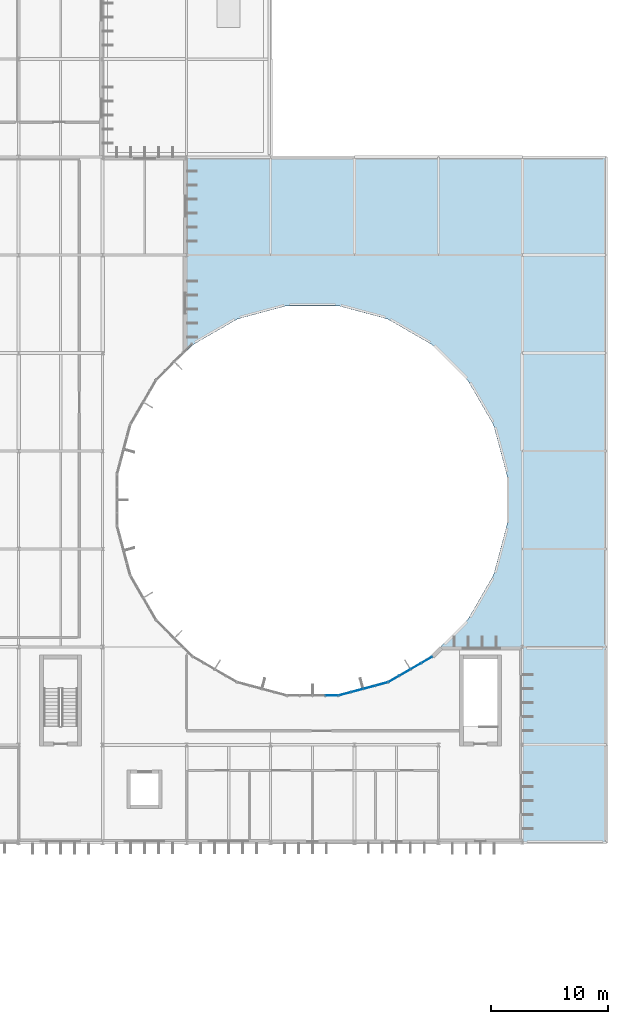
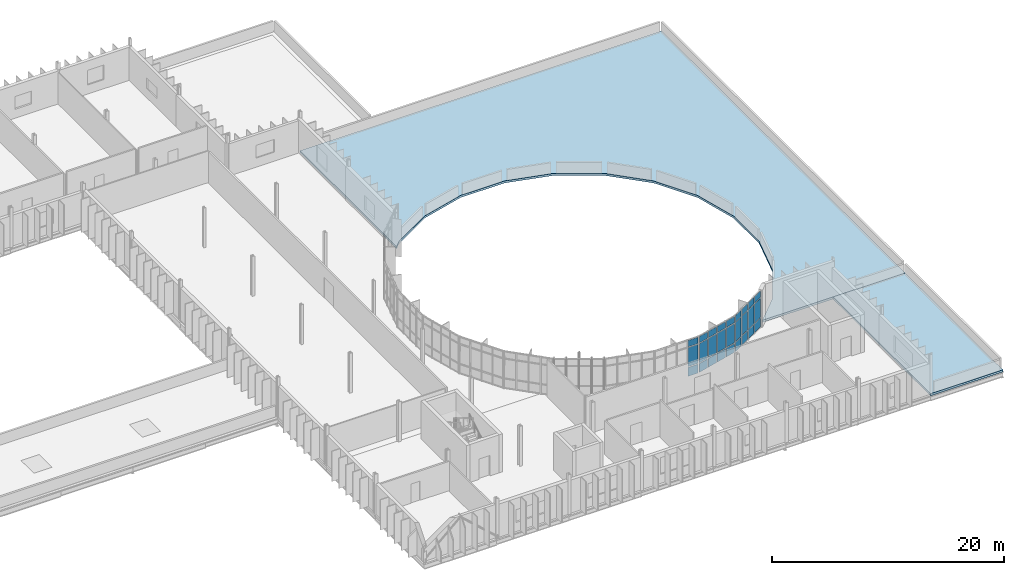
# One storey, part 38 of 61: 27 plates, 2 slabs, 3 elements without a shape of their own.
"""IFC4 building model written with IfcOpenShell, lengths in metres."""

from ifc_helpers import new_model, si_unit, direction, frame, origin, origin_2d, place, context, subcontext, project, spatial, polyline, rectangle, outline, extrude, material, layer, layer_set, type_object, element, aggregate, save


model = new_model("IFC4")

# Units and contexts
model_context = context("Model", 3, precision=1e-05, world=origin(), true_north=direction((0.0, 1.0)))
body_context = subcontext(model_context, "Body", "Model", "MODEL_VIEW")
ifc_project = project(units=[si_unit("LENGTHUNIT", "METRE"), si_unit("AREAUNIT", "SQUARE_METRE"), si_unit("VOLUMEUNIT", "CUBIC_METRE"), si_unit("PLANEANGLEUNIT", "RADIAN"), si_unit("MASSUNIT", "GRAM", prefix="KILO")], contexts=[model_context])

# Site, building, storey
site_placement = place(None, origin())
site = spatial("IfcSite", under=ifc_project, at=site_placement, CompositionType="ELEMENT")
building_placement = place(site_placement, origin())
building = spatial("IfcBuilding", under=site, at=building_placement, Name="Qelthora Terrace Specialist Clinic", CompositionType="ELEMENT")
storey_placement = place(building_placement, frame((0.0, 0.0, 13.199951171875)))
storey = spatial("IfcBuildingStorey", under=building, at=storey_placement, Name="L03", CompositionType="ELEMENT", Elevation=13.199951171875)

# Curtain wall, plates
ifc_material_1 = material(Name="Aluminium anodized bronze", Category="aluminium")
curtain_wall_type = type_object("IfcCurtainWallType", Name="CW-CRTE-UPP", PredefinedType="NOTDEFINED", material=ifc_material_1)
curtain_wall_1_placement = place(storey_placement, origin())
curtain_wall_1 = element("IfcCurtainWall", 1, at=curtain_wall_1_placement, inside=storey, type_object=curtain_wall_type, Name="Curtain wall CW-CE-L03-18", PredefinedType="NOTDEFINED")
ifc_material_2 = material(Name="Low-E triple-silver insulating glass", Category="glass")
ifc_layer_1 = layer(ifc_material_2, 0.035888671875)
ifc_layer_set_1 = layer_set([ifc_layer_1], Name="Low-E triple-silver insulating glass")
plate_type = type_object("IfcPlateType", Name="CWP-IGU-36", PredefinedType="CURTAIN_PANEL", material=ifc_layer_set_1)
plate_1_placement = place(storey_placement, frame((127.64453125, 46.2236328125, 0.085205078125), z_axis=(0.0, 0.0, 1.0), x_axis=(1.0, 0.0, 0.0)))
plate_1 = element("IfcPlate", 2, at=plate_1_placement, type_object=plate_type, Name="CW-CE-L03-18 glazed panel 10", PredefinedType="CURTAIN_PANEL", context=body_context, shape_type="SweptSolid", body=[
    extrude(rectangle(XDim=0.996337890625, YDim=0.035888671875, at=origin_2d()), origin(), (0.0, 0.0, 1.0), 0.919921875),
])
plate_2_placement = place(storey_placement, frame((127.64453125, 46.2236328125, 1.09521484375), z_axis=(0.0, 0.0, 1.0), x_axis=(1.0, 0.0, 0.0)))
plate_2 = element("IfcPlate", 3, at=plate_2_placement, type_object=plate_type, Name="CW-CE-L03-18 glazed panel 11", PredefinedType="CURTAIN_PANEL", context=body_context, shape_type="SweptSolid", body=[
    extrude(rectangle(XDim=0.996337890625, YDim=0.035888671875, at=origin_2d()), origin(), (0.0, 0.0, 1.0), 2.0048828125),
])
plate_3_placement = place(storey_placement, frame((127.64453125, 46.2236328125, 3.190185546875), z_axis=(0.0, 0.0, 1.0), x_axis=(1.0, 0.0, 0.0)))
plate_3 = element("IfcPlate", 4, at=plate_3_placement, type_object=plate_type, Name="CW-CE-L03-18 glazed panel 12", PredefinedType="CURTAIN_PANEL", context=body_context, shape_type="SweptSolid", body=[
    extrude(rectangle(XDim=0.996337890625, YDim=0.035888671875, at=origin_2d()), origin(), (0.0, 0.0, 1.0), 0.669921875),
])
aggregate(curtain_wall_1, [plate_1, plate_2, plate_3])

curtain_wall_2_placement = place(storey_placement, origin())
curtain_wall_2 = element("IfcCurtainWall", 5, at=curtain_wall_2_placement, inside=storey, type_object=curtain_wall_type, Name="Curtain wall CW-CE-L03-19", PredefinedType="NOTDEFINED")
plate_4_placement = place(storey_placement, frame((128.75341796875, 46.36962890625, 0.085205078125), z_axis=(0.0, 0.0, 1.0), x_axis=(0.965925826289, 0.258819045103, 0.0)))
plate_4 = element("IfcPlate", 6, at=plate_4_placement, type_object=plate_type, Name="CW-CE-L03-19 glazed panel 1", PredefinedType="CURTAIN_PANEL", context=body_context, shape_type="SweptSolid", body=[
    extrude(rectangle(XDim=0.996337890625, YDim=0.035888671875, at=origin_2d()), origin(), (0.0, 0.0, 1.0), 0.919921875),
])
plate_5_placement = place(storey_placement, frame((128.75341796875, 46.36962890625, 1.09521484375), z_axis=(0.0, 0.0, 1.0), x_axis=(0.965925826289, 0.258819045103, 0.0)))
plate_5 = element("IfcPlate", 7, at=plate_5_placement, type_object=plate_type, Name="CW-CE-L03-19 glazed panel 2", PredefinedType="CURTAIN_PANEL", context=body_context, shape_type="SweptSolid", body=[
    extrude(rectangle(XDim=0.996337890625, YDim=0.035888671875, at=origin_2d()), origin(), (0.0, 0.0, 1.0), 2.0048828125),
])
plate_6_placement = place(storey_placement, frame((128.75341796875, 46.36962890625, 3.190185546875), z_axis=(0.0, 0.0, 1.0), x_axis=(0.965925826289, 0.258819045103, 0.0)))
plate_6 = element("IfcPlate", 8, at=plate_6_placement, type_object=plate_type, Name="CW-CE-L03-19 glazed panel 3", PredefinedType="CURTAIN_PANEL", context=body_context, shape_type="SweptSolid", body=[
    extrude(rectangle(XDim=0.996337890625, YDim=0.035888671875, at=origin_2d()), origin(), (0.0, 0.0, 1.0), 0.669921875),
])
plate_7_placement = place(storey_placement, frame((129.8125, 46.653564453125, 0.085205078125), z_axis=(0.0, 0.0, 1.0), x_axis=(0.965925826289, 0.258819045103, 0.0)))
plate_7 = element("IfcPlate", 9, at=plate_7_placement, type_object=plate_type, Name="CW-CE-L03-19 glazed panel 4", PredefinedType="CURTAIN_PANEL", context=body_context, shape_type="SweptSolid", body=[
    extrude(rectangle(XDim=0.996337890625, YDim=0.035888671875, at=origin_2d()), origin(), (0.0, 0.0, 1.0), 0.919921875),
])
plate_8_placement = place(storey_placement, frame((129.8125, 46.653564453125, 1.09521484375), z_axis=(0.0, 0.0, 1.0), x_axis=(0.965925826289, 0.258819045103, 0.0)))
plate_8 = element("IfcPlate", 10, at=plate_8_placement, type_object=plate_type, Name="CW-CE-L03-19 glazed panel 5", PredefinedType="CURTAIN_PANEL", context=body_context, shape_type="SweptSolid", body=[
    extrude(rectangle(XDim=0.996337890625, YDim=0.035888671875, at=origin_2d()), origin(), (0.0, 0.0, 1.0), 2.0048828125),
])
plate_9_placement = place(storey_placement, frame((129.8125, 46.653564453125, 3.190185546875), z_axis=(0.0, 0.0, 1.0), x_axis=(0.965925826289, 0.258819045103, 0.0)))
plate_9 = element("IfcPlate", 11, at=plate_9_placement, type_object=plate_type, Name="CW-CE-L03-19 glazed panel 6", PredefinedType="CURTAIN_PANEL", context=body_context, shape_type="SweptSolid", body=[
    extrude(rectangle(XDim=0.996337890625, YDim=0.035888671875, at=origin_2d()), origin(), (0.0, 0.0, 1.0), 0.669921875),
])
plate_10_placement = place(storey_placement, frame((130.87158203125, 46.937255859375, 0.085205078125), z_axis=(0.0, 0.0, 1.0), x_axis=(0.965925826289, 0.258819045103, 0.0)))
plate_10 = element("IfcPlate", 12, at=plate_10_placement, type_object=plate_type, Name="CW-CE-L03-19 glazed panel 7", PredefinedType="CURTAIN_PANEL", context=body_context, shape_type="SweptSolid", body=[
    extrude(rectangle(XDim=0.996337890625, YDim=0.035888671875, at=origin_2d()), origin(), (0.0, 0.0, 1.0), 0.919921875),
])
plate_11_placement = place(storey_placement, frame((130.87158203125, 46.937255859375, 1.09521484375), z_axis=(0.0, 0.0, 1.0), x_axis=(0.965925826289, 0.258819045103, 0.0)))
plate_11 = element("IfcPlate", 13, at=plate_11_placement, type_object=plate_type, Name="CW-CE-L03-19 glazed panel 8", PredefinedType="CURTAIN_PANEL", context=body_context, shape_type="SweptSolid", body=[
    extrude(rectangle(XDim=0.996337890625, YDim=0.035888671875, at=origin_2d()), origin(), (0.0, 0.0, 1.0), 2.0048828125),
])
plate_12_placement = place(storey_placement, frame((130.87158203125, 46.937255859375, 3.190185546875), z_axis=(0.0, 0.0, 1.0), x_axis=(0.965925826289, 0.258819045103, 0.0)))
plate_12 = element("IfcPlate", 14, at=plate_12_placement, type_object=plate_type, Name="CW-CE-L03-19 glazed panel 9", PredefinedType="CURTAIN_PANEL", context=body_context, shape_type="SweptSolid", body=[
    extrude(rectangle(XDim=0.996337890625, YDim=0.035888671875, at=origin_2d()), origin(), (0.0, 0.0, 1.0), 0.669921875),
])
plate_13_placement = place(storey_placement, frame((131.9306640625, 47.220947265625, 0.085205078125), z_axis=(0.0, 0.0, 1.0), x_axis=(0.965925826289, 0.258819045103, 0.0)))
plate_13 = element("IfcPlate", 15, at=plate_13_placement, type_object=plate_type, Name="CW-CE-L03-19 glazed panel 10", PredefinedType="CURTAIN_PANEL", context=body_context, shape_type="SweptSolid", body=[
    extrude(rectangle(XDim=0.996337890625, YDim=0.035888671875, at=origin_2d()), origin(), (0.0, 0.0, 1.0), 0.919921875),
])
plate_14_placement = place(storey_placement, frame((131.9306640625, 47.220947265625, 1.09521484375), z_axis=(0.0, 0.0, 1.0), x_axis=(0.965925826289, 0.258819045103, 0.0)))
plate_14 = element("IfcPlate", 16, at=plate_14_placement, type_object=plate_type, Name="CW-CE-L03-19 glazed panel 11", PredefinedType="CURTAIN_PANEL", context=body_context, shape_type="SweptSolid", body=[
    extrude(rectangle(XDim=0.996337890625, YDim=0.035888671875, at=origin_2d()), origin(), (0.0, 0.0, 1.0), 2.0048828125),
])
plate_15_placement = place(storey_placement, frame((131.9306640625, 47.220947265625, 3.190185546875), z_axis=(0.0, 0.0, 1.0), x_axis=(0.965925826289, 0.258819045103, 0.0)))
plate_15 = element("IfcPlate", 17, at=plate_15_placement, type_object=plate_type, Name="CW-CE-L03-19 glazed panel 12", PredefinedType="CURTAIN_PANEL", context=body_context, shape_type="SweptSolid", body=[
    extrude(rectangle(XDim=0.996337890625, YDim=0.035888671875, at=origin_2d()), origin(), (0.0, 0.0, 1.0), 0.669921875),
])
aggregate(curtain_wall_2, [plate_4, plate_5, plate_6, plate_7, plate_8, plate_9, plate_10, plate_11, plate_12, plate_13, plate_14, plate_15])

curtain_wall_3_placement = place(storey_placement, origin())
curtain_wall_3 = element("IfcCurtainWall", 18, at=curtain_wall_3_placement, inside=storey, type_object=curtain_wall_type, Name="Curtain wall CW-CE-L03-20", PredefinedType="NOTDEFINED")
plate_16_placement = place(storey_placement, frame((132.9638671875, 47.64892578125, 0.085205078125), z_axis=(0.0, 0.0, 1.0), x_axis=(0.866025403784, 0.5, 0.0)))
plate_16 = element("IfcPlate", 19, at=plate_16_placement, type_object=plate_type, Name="CW-CE-L03-20 glazed panel 1", PredefinedType="CURTAIN_PANEL", context=body_context, shape_type="SweptSolid", body=[
    extrude(rectangle(XDim=0.996337890625, YDim=0.035888671875, at=origin_2d()), origin(), (0.0, 0.0, 1.0), 0.919921875),
])
plate_17_placement = place(storey_placement, frame((132.9638671875, 47.64892578125, 1.09521484375), z_axis=(0.0, 0.0, 1.0), x_axis=(0.866025403784, 0.5, 0.0)))
plate_17 = element("IfcPlate", 20, at=plate_17_placement, type_object=plate_type, Name="CW-CE-L03-20 glazed panel 2", PredefinedType="CURTAIN_PANEL", context=body_context, shape_type="SweptSolid", body=[
    extrude(rectangle(XDim=0.996337890625, YDim=0.035888671875, at=origin_2d()), origin(), (0.0, 0.0, 1.0), 2.0048828125),
])
plate_18_placement = place(storey_placement, frame((132.9638671875, 47.64892578125, 3.190185546875), z_axis=(0.0, 0.0, 1.0), x_axis=(0.866025403784, 0.5, 0.0)))
plate_18 = element("IfcPlate", 21, at=plate_18_placement, type_object=plate_type, Name="CW-CE-L03-20 glazed panel 3", PredefinedType="CURTAIN_PANEL", context=body_context, shape_type="SweptSolid", body=[
    extrude(rectangle(XDim=0.996337890625, YDim=0.035888671875, at=origin_2d()), origin(), (0.0, 0.0, 1.0), 0.669921875),
])
plate_19_placement = place(storey_placement, frame((133.913330078125, 48.197265625, 0.085205078125), z_axis=(0.0, 0.0, 1.0), x_axis=(0.866025403784, 0.5, 0.0)))
plate_19 = element("IfcPlate", 22, at=plate_19_placement, type_object=plate_type, Name="CW-CE-L03-20 glazed panel 4", PredefinedType="CURTAIN_PANEL", context=body_context, shape_type="SweptSolid", body=[
    extrude(rectangle(XDim=0.996337890625, YDim=0.035888671875, at=origin_2d()), origin(), (0.0, 0.0, 1.0), 0.919921875),
])
plate_20_placement = place(storey_placement, frame((133.913330078125, 48.197265625, 1.09521484375), z_axis=(0.0, 0.0, 1.0), x_axis=(0.866025403784, 0.5, 0.0)))
plate_20 = element("IfcPlate", 23, at=plate_20_placement, type_object=plate_type, Name="CW-CE-L03-20 glazed panel 5", PredefinedType="CURTAIN_PANEL", context=body_context, shape_type="SweptSolid", body=[
    extrude(rectangle(XDim=0.996337890625, YDim=0.035888671875, at=origin_2d()), origin(), (0.0, 0.0, 1.0), 2.0048828125),
])
plate_21_placement = place(storey_placement, frame((133.913330078125, 48.197265625, 3.190185546875), z_axis=(0.0, 0.0, 1.0), x_axis=(0.866025403784, 0.5, 0.0)))
plate_21 = element("IfcPlate", 24, at=plate_21_placement, type_object=plate_type, Name="CW-CE-L03-20 glazed panel 6", PredefinedType="CURTAIN_PANEL", context=body_context, shape_type="SweptSolid", body=[
    extrude(rectangle(XDim=0.996337890625, YDim=0.035888671875, at=origin_2d()), origin(), (0.0, 0.0, 1.0), 0.669921875),
])
plate_22_placement = place(storey_placement, frame((134.86279296875, 48.745361328125, 0.085205078125), z_axis=(0.0, 0.0, 1.0), x_axis=(0.866025403784, 0.5, 0.0)))
plate_22 = element("IfcPlate", 25, at=plate_22_placement, type_object=plate_type, Name="CW-CE-L03-20 glazed panel 7", PredefinedType="CURTAIN_PANEL", context=body_context, shape_type="SweptSolid", body=[
    extrude(rectangle(XDim=0.996337890625, YDim=0.035888671875, at=origin_2d()), origin(), (0.0, 0.0, 1.0), 0.919921875),
])
plate_23_placement = place(storey_placement, frame((134.86279296875, 48.745361328125, 1.09521484375), z_axis=(0.0, 0.0, 1.0), x_axis=(0.866025403784, 0.5, 0.0)))
plate_23 = element("IfcPlate", 26, at=plate_23_placement, type_object=plate_type, Name="CW-CE-L03-20 glazed panel 8", PredefinedType="CURTAIN_PANEL", context=body_context, shape_type="SweptSolid", body=[
    extrude(rectangle(XDim=0.996337890625, YDim=0.035888671875, at=origin_2d()), origin(), (0.0, 0.0, 1.0), 2.0048828125),
])
plate_24_placement = place(storey_placement, frame((134.86279296875, 48.745361328125, 3.190185546875), z_axis=(0.0, 0.0, 1.0), x_axis=(0.866025403784, 0.5, 0.0)))
plate_24 = element("IfcPlate", 27, at=plate_24_placement, type_object=plate_type, Name="CW-CE-L03-20 glazed panel 9", PredefinedType="CURTAIN_PANEL", context=body_context, shape_type="SweptSolid", body=[
    extrude(rectangle(XDim=0.996337890625, YDim=0.035888671875, at=origin_2d()), origin(), (0.0, 0.0, 1.0), 0.669921875),
])
plate_25_placement = place(storey_placement, frame((135.8125, 49.293701171875, 0.085205078125), z_axis=(0.0, 0.0, 1.0), x_axis=(0.866025403784, 0.5, 0.0)))
plate_25 = element("IfcPlate", 28, at=plate_25_placement, type_object=plate_type, Name="CW-CE-L03-20 glazed panel 10", PredefinedType="CURTAIN_PANEL", context=body_context, shape_type="SweptSolid", body=[
    extrude(rectangle(XDim=0.996337890625, YDim=0.035888671875, at=origin_2d()), origin(), (0.0, 0.0, 1.0), 0.919921875),
])
plate_26_placement = place(storey_placement, frame((135.8125, 49.293701171875, 1.09521484375), z_axis=(0.0, 0.0, 1.0), x_axis=(0.866025403784, 0.5, 0.0)))
plate_26 = element("IfcPlate", 29, at=plate_26_placement, type_object=plate_type, Name="CW-CE-L03-20 glazed panel 11", PredefinedType="CURTAIN_PANEL", context=body_context, shape_type="SweptSolid", body=[
    extrude(rectangle(XDim=0.996337890625, YDim=0.035888671875, at=origin_2d()), origin(), (0.0, 0.0, 1.0), 2.0048828125),
])
plate_27_placement = place(storey_placement, frame((135.8125, 49.293701171875, 3.190185546875), z_axis=(0.0, 0.0, 1.0), x_axis=(0.866025403784, 0.5, 0.0)))
plate_27 = element("IfcPlate", 30, at=plate_27_placement, type_object=plate_type, Name="CW-CE-L03-20 glazed panel 12", PredefinedType="CURTAIN_PANEL", context=body_context, shape_type="SweptSolid", body=[
    extrude(rectangle(XDim=0.996337890625, YDim=0.035888671875, at=origin_2d()), origin(), (0.0, 0.0, 1.0), 0.669921875),
])
aggregate(curtain_wall_3, [plate_16, plate_17, plate_18, plate_19, plate_20, plate_21, plate_22, plate_23, plate_24, plate_25, plate_26, plate_27])

# Slabs
ifc_material_3 = material(Name="Concrete C30/37", Category="concrete")
ifc_layer_2 = layer(ifc_material_3, 0.22509765625)
ifc_layer_set_2 = layer_set([ifc_layer_2], Name="Concrete C30/37")
slab_type = type_object("IfcSlabType", Name="SLB-ROOF-170-ZINC", PredefinedType="ROOF", material=ifc_layer_set_2)
slab_1_placement = place(storey_placement, frame((0.0, 0.0, -0.224853515625)))
element("IfcSlab", 31, at=slab_1_placement, inside=storey, type_object=slab_type, Name="Stepped wing roof slab ROOF-V4-STP3A-1", PredefinedType="ROOF", context=body_context, shape_type="SweptSolid", body=[
    extrude(outline(polyline([(151.199951171875, 92.39990234375), (151.199951171875, 50.39990234375), (136.95556640625, 50.39990234375), (139.328369140625, 52.772705078125), (141.521240234375, 56.57080078125), (142.65625, 60.80712890625), (142.65625, 65.19287109375), (141.521240234375, 69.42919921875), (139.328369140625, 73.227294921875), (136.227294921875, 76.328369140625), (132.42919921875, 78.521240234375), (128.19287109375, 79.65625), (123.80712890625, 79.65625), (119.57080078125, 78.521240234375), (115.772705078125, 76.328369140625), (115.199951171875, 75.755615234375), (115.199951171875, 92.39990234375), (151.199951171875, 92.39990234375)])), origin(), (0.0, 0.0, 1.0), 0.224853515625),
])
slab_2_placement = place(storey_placement, frame((0.0, 0.0, -0.224853515625)))
element("IfcSlab", 32, at=slab_2_placement, inside=storey, type_object=slab_type, Name="Stepped wing roof slab ROOF-V4-STP3B-1", PredefinedType="ROOF", context=body_context, shape_type="SweptSolid", body=[
    extrude(outline(polyline([(151.199951171875, 50.39990234375), (151.199951171875, 33.60009765625), (144.0, 33.60009765625), (144.0, 50.39990234375), (151.199951171875, 50.39990234375)])), origin(), (0.0, 0.0, 1.0), 0.224853515625),
])

save(model, "model.ifc")
